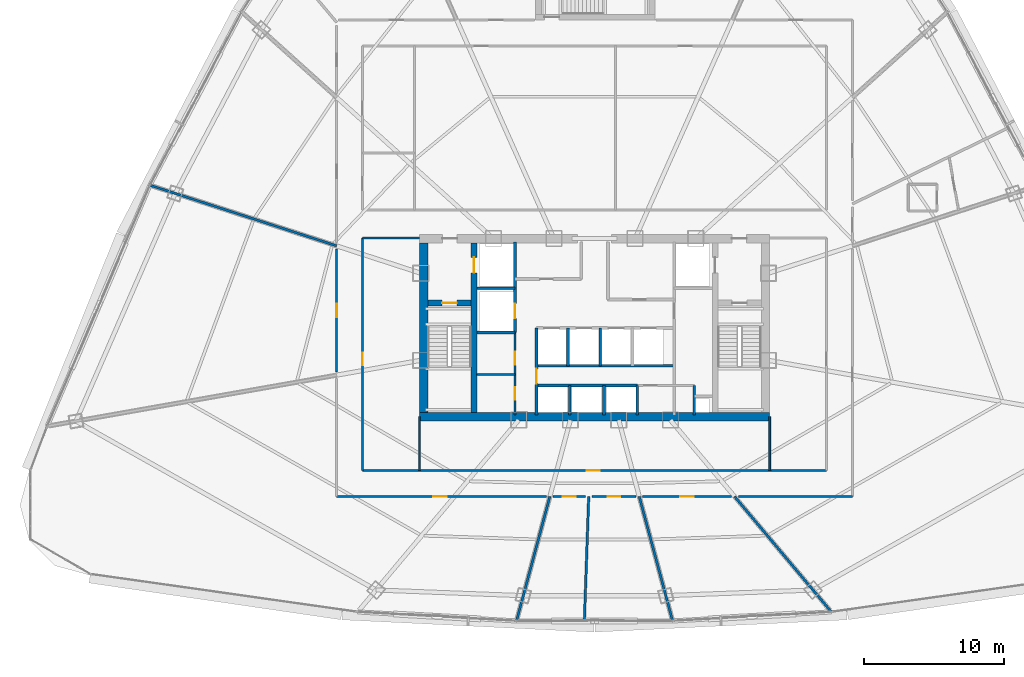
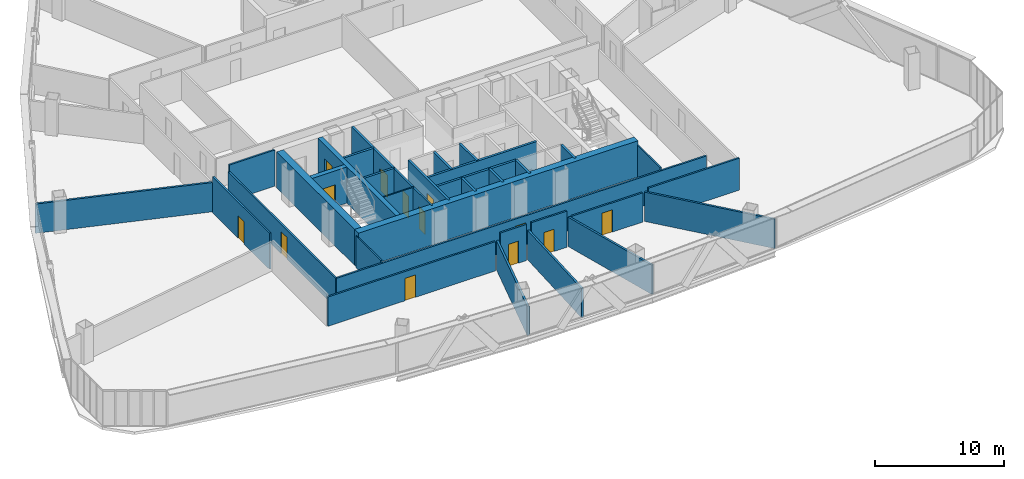
# One storey, part 35 of 42: 34 walls, 13 doors, 13 openings.
"""IFC4 building model written with IfcOpenShell, lengths in metres."""

from ifc_helpers import new_model, si_unit, direction, frame, frame_2d, origin, origin_with_axes, place, context, subcontext, project, spatial, rectangle, extrude, source, transform, mapped, material, layer, layer_set, type_object, element, fill, save


model = new_model("IFC4")

# Units and contexts
model_context = context("Model", 3, precision=1e-05, world=origin(), true_north=direction((0.0, 1.0)))
body_context = subcontext(model_context, "Body", "Model", "MODEL_VIEW")
ifc_project = project(units=[si_unit("LENGTHUNIT", "METRE"), si_unit("AREAUNIT", "SQUARE_METRE"), si_unit("VOLUMEUNIT", "CUBIC_METRE"), si_unit("PLANEANGLEUNIT", "RADIAN"), si_unit("MASSUNIT", "GRAM", prefix="KILO"), si_unit("THERMODYNAMICTEMPERATUREUNIT", "KELVIN"), si_unit("POWERUNIT", "WATT")], contexts=[model_context])

# Site, building, storey
site_placement = place(None, origin())
site = spatial("IfcSite", under=ifc_project, at=site_placement, CompositionType="ELEMENT")
building_placement = place(site_placement, origin())
building = spatial("IfcBuilding", under=site, at=building_placement, Name="Yunzhuo Pagoda Commons", CompositionType="ELEMENT")
storey_placement = place(building_placement, frame((0.0, 0.0, 133.510009765625)))
storey = spatial("IfcBuildingStorey", under=building, at=storey_placement, Name="L33", CompositionType="ELEMENT", Elevation=133.510009765625)

# Walls
ifc_material_1 = material(Name="Concrete C60", Category="concrete")
ifc_layer_1 = layer(ifc_material_1, 0.60009765625)
ifc_layer_set_1 = layer_set([ifc_layer_1], Name="Concrete C60")
wall_type_1 = type_object("IfcWallType", Name="W-C02 Mid Core Shear Wall 600", PredefinedType="SHEAR", material=ifc_layer_set_1)
wall_1_placement = place(storey_placement, frame((35.5, 27.5, 0.0), z_axis=(0.0, 0.0, 1.0), x_axis=(1.0, 0.0, 0.0)))
element("IfcWall", 1, at=wall_1_placement, inside=storey, type_object=wall_type_1, Name="L33 core shear wall S", PredefinedType="SHEAR", context=body_context, shape_type="SweptSolid", body=[
    extrude(rectangle(XDim=25.0, YDim=0.60009765625, at=frame_2d((12.5, 0.0))), origin(), (0.0, 0.0, 1.0), 3.419921875),
])
wall_2_placement = place(storey_placement, frame((35.800048828125, 27.800048828125, 0.0), z_axis=(0.0, 0.0, 1.0), x_axis=(0.0, 1.0, 0.0)))
element("IfcWall", 2, at=wall_2_placement, inside=storey, type_object=wall_type_1, Name="L33 core shear wall W", PredefinedType="SHEAR", context=body_context, shape_type="SweptSolid", body=[
    extrude(rectangle(XDim=12.099853515625, YDim=0.60009765625, at=frame_2d((6.0498046875, 0.0))), origin(), (0.0, 0.0, 1.0), 3.419921875),
])

# Wall, openings, doors
ifc_material_2 = material(Name="Gypsum plasterboard on acoustic stud")
ifc_layer_2 = layer(ifc_material_2, 0.155029296875)
ifc_layer_set_2 = layer_set([ifc_layer_2], Name="Gypsum plasterboard on acoustic stud")
wall_type_2 = type_object("IfcWallType", Name="W-COR2 Mid-Zone Rated Corridor Wall 155", PredefinedType="PARTITIONING", material=ifc_layer_set_2)
wall_3_placement = place(storey_placement, frame((42.320068359375, 27.60009765625, 0.0), z_axis=(0.0, 0.0, 1.0), x_axis=(0.0, 1.0, 0.0)))
wall_3 = element("IfcWall", 3, at=wall_3_placement, inside=storey, type_object=wall_type_2, Name="L33 interior wall IW-L33-CSWE", PredefinedType="PARTITIONING", context=body_context, shape_type="SweptSolid", body=[
    extrude(rectangle(XDim=5.89990234375, YDim=0.155029296875, at=frame_2d((2.949951171875, 0.0))), origin(), (0.0, 0.0, 1.0), 3.419921875),
])
opening_1_placement = place(wall_3_placement, frame((1.10009765625, 0.0, 0.0)))
opening_1 = element("IfcOpeningElement", 4, at=opening_1_placement, cuts=wall_3, Name="Opening D-03", PredefinedType="OPENING", context=body_context, shape_type="SweptSolid", body=[
    extrude(rectangle(XDim=0.89990234375, YDim=2.10009765625, at=frame_2d((0.449951171875, 1.050048828125))), frame((0.0, 0.08740234375, 0.0), z_axis=(0.0, -1.0, 0.0), x_axis=(1.0, 0.0, 0.0)), (0.0, 0.0, 1.0), 0.175048828125),
])
opening_2_placement = place(wall_3_placement, frame((3.60009765625, 0.0, 0.0)))
opening_2 = element("IfcOpeningElement", 5, at=opening_2_placement, cuts=wall_3, Name="Opening D-11", PredefinedType="OPENING", context=body_context, shape_type="SweptSolid", body=[
    extrude(rectangle(XDim=0.93994140625, YDim=2.10009765625, at=frame_2d((0.469970703125, 1.050048828125))), frame((0.0, 0.08740234375, 0.0), z_axis=(0.0, -1.0, 0.0), x_axis=(1.0, 0.0, 0.0)), (0.0, 0.0, 1.0), 0.175048828125),
])
ifc_material_3 = material(Name="Galvanized fire-resisting metal leaf")
door_type_1 = type_object("IfcDoorType", Name="D-03 Core Service Fire Door 900x2100", OperationType="NOTDEFINED", PredefinedType="DOOR", material=ifc_material_3)
shared_shape_1 = source(origin(), body_context, "Body", "SweptSolid", [
    extrude(rectangle(XDim=0.89990234375, YDim=2.10009765625, at=frame_2d((0.449951171875, 1.050048828125))), frame((0.0, 0.02490234375, 0.0), z_axis=(0.0, -1.0, 0.0), x_axis=(1.0, 0.0, 0.0)), (0.0, 0.0, 1.0), 0.050048828125),
])
door_1_placement = place(opening_1_placement, origin_with_axes())
door_1 = element("IfcDoor", 6, at=door_1_placement, inside=storey, type_object=door_type_1, Name="L33 housekeeping door", OperationType="SINGLE_SWING_RIGHT", OverallHeight=2.10009765625, OverallWidth=0.89990234375, PredefinedType="DOOR", context=body_context, shape_type="MappedRepresentation", body=[
    mapped(shared_shape_1, transform((0.0, 0.0, 0.0), scale=1.0)),
])
fill(opening_1, door_1)
door_type_2 = type_object("IfcDoorType", Name="D-11 Accessible Washroom Fire Door 940x2100", OperationType="NOTDEFINED", PredefinedType="DOOR", material=ifc_material_3)
shared_shape_2 = source(origin(), body_context, "Body", "SweptSolid", [
    extrude(rectangle(XDim=0.93994140625, YDim=2.10009765625, at=frame_2d((0.469970703125, 1.050048828125))), frame((0.0, 0.02490234375, 0.0), z_axis=(0.0, -1.0, 0.0), x_axis=(1.0, 0.0, 0.0)), (0.0, 0.0, 1.0), 0.050048828125),
])
door_2_placement = place(opening_2_placement, origin_with_axes())
door_2 = element("IfcDoor", 7, at=door_2_placement, inside=storey, type_object=door_type_2, Name="L33 core WC door", OperationType="SINGLE_SWING_RIGHT", OverallHeight=2.10009765625, OverallWidth=0.93994140625, PredefinedType="DOOR", context=body_context, shape_type="MappedRepresentation", body=[
    mapped(shared_shape_2, transform((0.0, 0.0, 0.0), scale=1.0)),
])
fill(opening_2, door_2)

# Wall, opening, door
wall_4_placement = place(storey_placement, frame((31.449951171875, 23.64990234375, 0.0), z_axis=(0.0, 0.0, 1.0), x_axis=(0.0, 1.0, 0.0)))
wall_4 = element("IfcWall", 8, at=wall_4_placement, inside=storey, type_object=wall_type_2, Name="L33 interior wall IW-L33-SFLW", PredefinedType="PARTITIONING", context=body_context, shape_type="SweptSolid", body=[
    extrude(rectangle(XDim=16.60009765625, YDim=0.155029296875, at=frame_2d((8.300048828125, 0.0))), origin(), (0.0, 0.0, 1.0), 2.77001953125),
])
opening_3_placement = place(wall_4_placement, frame((7.5, 0.0, 0.0)))
opening_3 = element("IfcOpeningElement", 9, at=opening_3_placement, cuts=wall_4, Name="Opening D-12", PredefinedType="OPENING", context=body_context, shape_type="SweptSolid", body=[
    extrude(rectangle(XDim=0.89990234375, YDim=2.080078125, at=frame_2d((0.449951171875, 1.0400390625))), frame((0.0, 0.08740234375, 0.0), z_axis=(0.0, -1.0, 0.0), x_axis=(1.0, 0.0, 0.0)), (0.0, 0.0, 1.0), 0.175048828125),
])
ifc_material_4 = material(Name="Powder-coated aluminium and timber acoustic leaf", Category="wood")
door_type_3 = type_object("IfcDoorType", Name="D-12 Quiet Study Interior Door 900x2080", OperationType="NOTDEFINED", PredefinedType="DOOR", material=ifc_material_4)
shared_shape_3 = source(origin(), body_context, "Body", "SweptSolid", [
    extrude(rectangle(XDim=0.89990234375, YDim=2.080078125, at=frame_2d((0.449951171875, 1.0400390625))), frame((0.0, 0.02490234375, 0.0), z_axis=(0.0, -1.0, 0.0), x_axis=(1.0, 0.0, 0.0)), (0.0, 0.0, 1.0), 0.050048828125),
])
door_3_placement = place(opening_3_placement, origin_with_axes())
door_3 = element("IfcDoor", 10, at=door_3_placement, inside=storey, type_object=door_type_3, Name="L33 west study workroom door", OperationType="SINGLE_SWING_LEFT", OverallHeight=2.080078125, OverallWidth=0.89990234375, PredefinedType="DOOR", context=body_context, shape_type="MappedRepresentation", body=[
    mapped(shared_shape_3, transform((0.0, 0.0, 0.0), scale=1.0)),
])
fill(opening_3, door_3)

wall_5_placement = place(storey_placement, frame((31.449951171875, 23.64990234375, 0.0), z_axis=(0.0, 0.0, 1.0), x_axis=(1.0, 0.0, 0.0)))
wall_5 = element("IfcWall", 11, at=wall_5_placement, inside=storey, type_object=wall_type_2, Name="L33 interior wall IW-L33-SFLS", PredefinedType="PARTITIONING", context=body_context, shape_type="SweptSolid", body=[
    extrude(rectangle(XDim=33.10009765625, YDim=0.155029296875, at=frame_2d((16.550048828125, 0.0))), origin(), (0.0, 0.0, 1.0), 2.77001953125),
])
opening_4_placement = place(wall_5_placement, frame((16.0, 0.0, 0.0)))
opening_4 = element("IfcOpeningElement", 12, at=opening_4_placement, cuts=wall_5, Name="Opening D-04", PredefinedType="OPENING", context=body_context, shape_type="SweptSolid", body=[
    extrude(rectangle(XDim=0.919921875, YDim=2.10009765625, at=frame_2d((0.4599609375, 1.050048828125))), frame((0.0, 0.08740234375, 0.0), z_axis=(0.0, -1.0, 0.0), x_axis=(1.0, 0.0, 0.0)), (0.0, 0.0, 1.0), 0.175048828125),
])
door_type_4 = type_object("IfcDoorType", Name="D-04 Bedroom & Study Interior Door 920x2100", OperationType="NOTDEFINED", PredefinedType="DOOR", material=ifc_material_4)
shared_shape_4 = source(origin(), body_context, "Body", "SweptSolid", [
    extrude(rectangle(XDim=0.919921875, YDim=2.10009765625, at=frame_2d((0.4599609375, 1.050048828125))), frame((0.0, 0.02490234375, 0.0), z_axis=(0.0, -1.0, 0.0), x_axis=(1.0, 0.0, 0.0)), (0.0, 0.0, 1.0), 0.050048828125),
])
door_4_placement = place(opening_4_placement, frame((0.919921875, 0.0, 0.0), z_axis=(0.0, 0.0, 1.0), x_axis=(-1.0, 0.0, 0.0)))
door_4 = element("IfcDoor", 13, at=door_4_placement, inside=storey, type_object=door_type_4, Name="L33 south seminar room door", OperationType="SINGLE_SWING_RIGHT", OverallHeight=2.10009765625, OverallWidth=0.919921875, PredefinedType="DOOR", context=body_context, shape_type="MappedRepresentation", body=[
    mapped(shared_shape_4, transform((0.0, 0.0, 0.0), scale=1.0)),
])
fill(opening_4, door_4)

# Wall
wall_6_placement = place(storey_placement, frame((31.449951171875, 40.25, 0.0), z_axis=(0.0, 0.0, 1.0), x_axis=(1.0, 0.0, 0.0)))
element("IfcWall", 14, at=wall_6_placement, inside=storey, type_object=wall_type_2, Name="L33 interior wall IW-L33-SFLNW", PredefinedType="PARTITIONING", context=body_context, shape_type="SweptSolid", body=[
    extrude(rectangle(XDim=4.050048828125, YDim=0.155029296875, at=frame_2d((2.02490234375, 0.0))), origin(), (0.0, 0.0, 1.0), 3.419921875),
])

# Wall, opening, door
wall_7_placement = place(storey_placement, frame((29.60009765625, 30.67529296875, 0.0), z_axis=(0.0, 0.0, 1.0), x_axis=(0.0, 1.0, 0.0)))
wall_7 = element("IfcWall", 15, at=wall_7_placement, inside=storey, type_object=wall_type_2, Name="L33 interior wall IW-L33-CWL02", PredefinedType="PARTITIONING", context=body_context, shape_type="SweptSolid", body=[
    extrude(rectangle(XDim=8.783447265625, YDim=0.155029296875, at=frame_2d((4.3916015625, 0.0))), origin(), (0.0, 0.0, 1.0), 3.419921875),
])
opening_5_placement = place(wall_7_placement, frame((3.916748046875, 0.0, 0.0)))
opening_5 = element("IfcOpeningElement", 16, at=opening_5_placement, cuts=wall_7, Name="Opening D-07", PredefinedType="OPENING", context=body_context, shape_type="SweptSolid", body=[
    extrude(rectangle(XDim=0.9599609375, YDim=2.1201171875, at=frame_2d((0.47998046875, 1.06005859375))), frame((0.0, 0.08740234375, 0.0), z_axis=(0.0, -1.0, 0.0), x_axis=(1.0, 0.0, 0.0)), (0.0, 0.0, 1.0), 0.175048828125),
])
door_type_5 = type_object("IfcDoorType", Name="D-07 Mid-Zone Suite Entrance Fire Door 960x2120", OperationType="NOTDEFINED", PredefinedType="DOOR", material=ifc_material_3)
shared_shape_5 = source(origin(), body_context, "Body", "SweptSolid", [
    extrude(rectangle(XDim=0.9599609375, YDim=2.1201171875, at=frame_2d((0.47998046875, 1.06005859375))), frame((0.0, 0.02490234375, 0.0), z_axis=(0.0, -1.0, 0.0), x_axis=(1.0, 0.0, 0.0)), (0.0, 0.0, 1.0), 0.050048828125),
])
door_5_placement = place(opening_5_placement, origin_with_axes())
door_5 = element("IfcDoor", 17, at=door_5_placement, inside=storey, type_object=door_type_5, Name="L33 unit 08 entrance door", OperationType="SINGLE_SWING_RIGHT", OverallHeight=2.1201171875, OverallWidth=0.9599609375, PredefinedType="DOOR", context=body_context, shape_type="MappedRepresentation", body=[
    mapped(shared_shape_5, transform((0.0, 0.0, 0.0), scale=1.0)),
])
fill(opening_5, door_5)

# Wall
wall_8_placement = place(storey_placement, frame((66.39990234375, 21.800048828125, 0.0), z_axis=(0.0, 0.0, 1.0), x_axis=(-1.0, 0.0, 0.0)))
element("IfcWall", 18, at=wall_8_placement, inside=storey, type_object=wall_type_2, Name="L33 interior wall IW-L33-CWL13", PredefinedType="PARTITIONING", context=body_context, shape_type="SweptSolid", body=[
    extrude(rectangle(XDim=8.12744140625, YDim=0.155029296875, at=frame_2d((4.063720703125, 0.0))), origin(), (0.0, 0.0, 1.0), 3.02001953125),
])

# Wall, opening, door
wall_9_placement = place(storey_placement, frame((57.765380859375, 21.800048828125, 0.0), z_axis=(0.0, 0.0, 1.0), x_axis=(-1.0, 0.0, 0.0)))
wall_9 = element("IfcWall", 19, at=wall_9_placement, inside=storey, type_object=wall_type_2, Name="L33 interior wall IW-L33-CWL14", PredefinedType="PARTITIONING", context=body_context, shape_type="SweptSolid", body=[
    extrude(rectangle(XDim=6.348876953125, YDim=0.155029296875, at=frame_2d((3.17431640625, 0.0))), origin(), (0.0, 0.0, 1.0), 2.77001953125),
])
opening_6_placement = place(wall_9_placement, frame((2.703369140625, 0.0, 0.0)))
opening_6 = element("IfcOpeningElement", 20, at=opening_6_placement, cuts=wall_9, Name="Opening D-07", PredefinedType="OPENING", context=body_context, shape_type="SweptSolid", body=[
    extrude(rectangle(XDim=0.9599609375, YDim=2.1201171875, at=frame_2d((0.47998046875, 1.06005859375))), frame((0.0, 0.08740234375, 0.0), z_axis=(0.0, -1.0, 0.0), x_axis=(1.0, 0.0, 0.0)), (0.0, 0.0, 1.0), 0.175048828125),
])
door_6_placement = place(opening_6_placement, origin_with_axes())
door_6 = element("IfcDoor", 21, at=door_6_placement, inside=storey, type_object=door_type_5, Name="L33 unit 12 entrance door", OperationType="SINGLE_SWING_RIGHT", OverallHeight=2.1201171875, OverallWidth=0.9599609375, PredefinedType="DOOR", context=body_context, shape_type="MappedRepresentation", body=[
    mapped(shared_shape_5, transform((0.0, 0.0, 0.0), scale=1.0)),
])
fill(opening_6, door_6)

wall_10_placement = place(storey_placement, frame((50.96875, 21.800048828125, 0.0), z_axis=(0.0, 0.0, 1.0), x_axis=(-1.0, 0.0, 0.0)))
wall_10 = element("IfcWall", 22, at=wall_10_placement, inside=storey, type_object=wall_type_2, Name="L33 interior wall IW-L33-CWL15", PredefinedType="PARTITIONING", context=body_context, shape_type="SweptSolid", body=[
    extrude(rectangle(XDim=3.16455078125, YDim=0.155029296875, at=frame_2d((1.582275390625, 0.0))), origin(), (0.0, 0.0, 1.0), 3.419921875),
])
opening_7_placement = place(wall_10_placement, frame((1.122314453125, 0.0, 0.0)))
opening_7 = element("IfcOpeningElement", 23, at=opening_7_placement, cuts=wall_10, Name="Opening D-04", PredefinedType="OPENING", context=body_context, shape_type="SweptSolid", body=[
    extrude(rectangle(XDim=0.919921875, YDim=2.10009765625, at=frame_2d((0.4599609375, 1.050048828125))), frame((0.0, 0.08740234375, 0.0), z_axis=(0.0, -1.0, 0.0), x_axis=(1.0, 0.0, 0.0)), (0.0, 0.0, 1.0), 0.175048828125),
])
door_7_placement = place(opening_7_placement, origin_with_axes())
door_7 = element("IfcDoor", 24, at=door_7_placement, inside=storey, type_object=door_type_4, Name="L33 fellow workroom 11 door", OperationType="SINGLE_SWING_LEFT", OverallHeight=2.10009765625, OverallWidth=0.919921875, PredefinedType="DOOR", context=body_context, shape_type="MappedRepresentation", body=[
    mapped(shared_shape_4, transform((0.0, 0.0, 0.0), scale=1.0)),
])
fill(opening_7, door_7)

wall_11_placement = place(storey_placement, frame((47.3642578125, 21.800048828125, 0.0), z_axis=(0.0, 0.0, 1.0), x_axis=(-1.0, 0.0, 0.0)))
wall_11 = element("IfcWall", 25, at=wall_11_placement, inside=storey, type_object=wall_type_2, Name="L33 interior wall IW-L33-CWL16", PredefinedType="PARTITIONING", context=body_context, shape_type="SweptSolid", body=[
    extrude(rectangle(XDim=2.3330078125, YDim=0.155029296875, at=frame_2d((1.16650390625, 0.0))), origin(), (0.0, 0.0, 1.0), 3.419921875),
])
opening_8_placement = place(wall_11_placement, frame((0.706298828125, 0.0, 0.0)))
opening_8 = element("IfcOpeningElement", 26, at=opening_8_placement, cuts=wall_11, Name="Opening D-04", PredefinedType="OPENING", context=body_context, shape_type="SweptSolid", body=[
    extrude(rectangle(XDim=0.919921875, YDim=2.10009765625, at=frame_2d((0.4599609375, 1.050048828125))), frame((0.0, 0.08740234375, 0.0), z_axis=(0.0, -1.0, 0.0), x_axis=(1.0, 0.0, 0.0)), (0.0, 0.0, 1.0), 0.175048828125),
])
door_8_placement = place(opening_8_placement, origin_with_axes())
door_8 = element("IfcDoor", 27, at=door_8_placement, inside=storey, type_object=door_type_4, Name="L33 fellow workroom 10 door", OperationType="SINGLE_SWING_RIGHT", OverallHeight=2.10009765625, OverallWidth=0.919921875, PredefinedType="DOOR", context=body_context, shape_type="MappedRepresentation", body=[
    mapped(shared_shape_4, transform((0.0, 0.0, 0.0), scale=1.0)),
])
fill(opening_8, door_8)

wall_12_placement = place(storey_placement, frame((44.58349609375, 21.800048828125, 0.0), z_axis=(0.0, 0.0, 1.0), x_axis=(-1.0, 0.0, 0.0)))
wall_12 = element("IfcWall", 28, at=wall_12_placement, inside=storey, type_object=wall_type_2, Name="L33 interior wall IW-L33-CWL17", PredefinedType="PARTITIONING", context=body_context, shape_type="SweptSolid", body=[
    extrude(rectangle(XDim=14.9833984375, YDim=0.155029296875, at=frame_2d((7.49169921875, 0.0))), origin(), (0.0, 0.0, 1.0), 2.77001953125),
])
opening_9_placement = place(wall_12_placement, frame((7.1328125, 0.0, 0.0)))
opening_9 = element("IfcOpeningElement", 29, at=opening_9_placement, cuts=wall_12, Name="Opening D-07", PredefinedType="OPENING", context=body_context, shape_type="SweptSolid", body=[
    extrude(rectangle(XDim=0.9599609375, YDim=2.1201171875, at=frame_2d((0.47998046875, 1.06005859375))), frame((0.0, 0.08740234375, 0.0), z_axis=(0.0, -1.0, 0.0), x_axis=(1.0, 0.0, 0.0)), (0.0, 0.0, 1.0), 0.175048828125),
])
door_9_placement = place(opening_9_placement, origin_with_axes())
door_9 = element("IfcDoor", 30, at=door_9_placement, inside=storey, type_object=door_type_5, Name="L33 Shared Resident Kitchen and Pantry door", OperationType="SINGLE_SWING_LEFT", OverallHeight=2.1201171875, OverallWidth=0.9599609375, PredefinedType="DOOR", context=body_context, shape_type="MappedRepresentation", body=[
    mapped(shared_shape_5, transform((0.0, 0.0, 0.0), scale=1.0)),
])
fill(opening_9, door_9)

# Walls
ifc_layer_3 = layer(ifc_material_2, 0.1201171875)
ifc_layer_set_3 = layer_set([ifc_layer_3], Name="Gypsum plasterboard on acoustic stud")
wall_type_3 = type_object("IfcWallType", Name="W-PRT1 Suite & Bathroom Partition 120", PredefinedType="PARTITIONING", material=ifc_layer_set_3)
wall_13_placement = place(storey_placement, frame((39.60009765625, 30.5, 0.0), z_axis=(0.0, 0.0, 1.0), x_axis=(1.0, 0.0, 0.0)))
element("IfcWall", 31, at=wall_13_placement, inside=storey, type_object=wall_type_3, Name="L33 interior wall IW-L33-CB1", PredefinedType="PARTITIONING", context=body_context, shape_type="SweptSolid", body=[
    extrude(rectangle(XDim=2.719970703125, YDim=0.1201171875, at=frame_2d((1.35986328125, 0.0))), origin(), (0.0, 0.0, 1.0), 3.419921875),
])
for number, where, z_axis, x_axis, name in (
    (32, (35.5, 23.64990234375, 0.0), (0.0, 0.0, 1.0), (0.0, 1.0, 0.0), "L33 interior wall IW-L33-SFLD1"),
    (33, (60.5, 23.64990234375, 0.0), (0.0, 0.0, 1.0), (0.0, 1.0, 0.0), "L33 interior wall IW-L33-SFLD2"),
):
    element("IfcWall", number, at=place(storey_placement, frame(where, z_axis=z_axis, x_axis=x_axis)), inside=storey, type_object=wall_type_3, Name=name, PredefinedType="PARTITIONING", context=body_context, shape_type="SweptSolid", body=[
        extrude(rectangle(XDim=3.85009765625, YDim=0.1201171875, at=frame_2d((1.925048828125, 0.0))), origin(), (0.0, 0.0, 1.0), 3.02001953125),
    ])
ifc_layer_4 = layer(ifc_material_2, 0.175048828125)
ifc_layer_set_4 = layer_set([ifc_layer_4], Name="Gypsum plasterboard on acoustic stud")
wall_type_4 = type_object("IfcWallType", Name="W-PRT3 Mid-Zone Demising Wall 175", PredefinedType="PARTITIONING", material=ifc_layer_set_4)
wall_14_placement = place(storey_placement, frame((29.60009765625, 39.678466796875, 0.0), z_axis=(0.0, 0.0, 1.0), x_axis=(-0.95105622709, 0.309017884457, 0.0)))
element("IfcWall", 34, at=wall_14_placement, inside=storey, type_object=wall_type_4, Name="L33 interior wall IW-L33-RAD08", PredefinedType="PARTITIONING", context=body_context, shape_type="SweptSolid", body=[
    extrude(rectangle(XDim=14.006103515625, YDim=0.175048828125, at=frame_2d((7.0029296875, 0.0))), origin(), (0.0, 0.0, 1.0), 2.77001953125),
])
wall_15_placement = place(storey_placement, frame((44.811279296875, 21.800048828125, 0.0), z_axis=(0.0, 0.0, 1.0), x_axis=(-0.258799340884, -0.965931105803, 0.0)))
element("IfcWall", 35, at=wall_15_placement, inside=storey, type_object=wall_type_4, Name="L33 interior wall IW-L33-RAD10", PredefinedType="PARTITIONING", context=body_context, shape_type="SweptSolid", body=[
    extrude(rectangle(XDim=9.19580078125, YDim=0.175048828125, at=frame_2d((4.597900390625, 0.0))), origin(), (0.0, 0.0, 1.0), 2.77001953125),
])
wall_16_placement = place(storey_placement, frame((47.58447265625, 21.800048828125, 0.0), z_axis=(0.0, 0.0, 1.0), x_axis=(-0.034885165757, -0.999391327364, 0.0)))
element("IfcWall", 36, at=wall_16_placement, inside=storey, type_object=wall_type_4, Name="L33 interior wall IW-L33-RAD11", PredefinedType="PARTITIONING", context=body_context, shape_type="SweptSolid", body=[
    extrude(rectangle(XDim=8.887939453125, YDim=0.175048828125, at=frame_2d((4.44384765625, 0.0))), origin(), (0.0, 0.0, 1.0), 2.77001953125),
])
wall_17_placement = place(storey_placement, frame((51.188720703125, 21.800048828125, 0.0), z_axis=(0.0, 0.0, 1.0), x_axis=(0.258799340884, -0.965931105803, 0.0)))
element("IfcWall", 37, at=wall_17_placement, inside=storey, type_object=wall_type_4, Name="L33 interior wall IW-L33-RAD12", PredefinedType="PARTITIONING", context=body_context, shape_type="SweptSolid", body=[
    extrude(rectangle(XDim=9.19580078125, YDim=0.175048828125, at=frame_2d((4.597900390625, 0.0))), origin(), (0.0, 0.0, 1.0), 2.77001953125),
])
wall_18_placement = place(storey_placement, frame((57.9853515625, 21.800048828125, 0.0), z_axis=(0.0, 0.0, 1.0), x_axis=(0.642770875896, -0.766058484125, 0.0)))
element("IfcWall", 38, at=wall_18_placement, inside=storey, type_object=wall_type_4, Name="L33 interior wall IW-L33-RAD13", PredefinedType="PARTITIONING", context=body_context, shape_type="SweptSolid", body=[
    extrude(rectangle(XDim=10.754638671875, YDim=0.175048828125, at=frame_2d((5.37744140625, 0.0))), origin(), (0.0, 0.0, 1.0), 2.77001953125),
])

# Wall, opening, door
ifc_layer_5 = layer(ifc_material_1, 0.39990234375)
ifc_layer_set_5 = layer_set([ifc_layer_5], Name="Concrete C60")
wall_type_5 = type_object("IfcWallType", Name="W-S01 Internal Core Shear Web 400", PredefinedType="SHEAR", material=ifc_layer_set_5)
wall_19_placement = place(storey_placement, frame((39.39990234375, 27.800048828125, 0.0), z_axis=(0.0, 0.0, 1.0), x_axis=(0.0, 1.0, 0.0)))
wall_19 = element("IfcWall", 39, at=wall_19_placement, inside=storey, type_object=wall_type_5, Name="L33 core shear wall WEBW", PredefinedType="SHEAR", context=body_context, shape_type="SweptSolid", body=[
    extrude(rectangle(XDim=12.099853515625, YDim=0.39990234375, at=frame_2d((6.0498046875, 0.0))), origin(), (0.0, 0.0, 1.0), 3.419921875),
])
opening_10_placement = place(wall_19_placement, frame((9.949951171875, 0.0, 0.0)))
opening_10 = element("IfcOpeningElement", 40, at=opening_10_placement, cuts=wall_19, Name="Opening LD-01", PredefinedType="OPENING", context=body_context, shape_type="SweptSolid", body=[
    extrude(rectangle(XDim=1.10009765625, YDim=2.10009765625, at=frame_2d((0.550048828125, 1.050048828125))), frame((0.0, 0.2099609375, 0.0), z_axis=(0.0, -1.0, 0.0), x_axis=(1.0, 0.0, 0.0)), (0.0, 0.0, 1.0), 0.419921875),
])
door_type_6 = type_object("IfcDoorType", Name="LD-01 Firefighting Lift Landing Door 1100x2100", OperationType="DOUBLE_DOOR_SLIDING", PredefinedType="DOOR", material=ifc_material_3)
shared_shape_6 = source(origin(), body_context, "Body", "SweptSolid", [
    extrude(rectangle(XDim=1.10009765625, YDim=2.10009765625, at=frame_2d((0.550048828125, 1.050048828125))), frame((0.0, 0.02490234375, 0.0), z_axis=(0.0, -1.0, 0.0), x_axis=(1.0, 0.0, 0.0)), (0.0, 0.0, 1.0), 0.050048828125),
])
door_10_placement = place(opening_10_placement, frame((1.10009765625, 0.0, 0.0), z_axis=(0.0, 0.0, 1.0), x_axis=(-1.0, 0.0, 0.0)))
door_10 = element("IfcDoor", 41, at=door_10_placement, inside=storey, type_object=door_type_6, Name="L33 Firefighting lift FL-1 landing door", OperationType="DOUBLE_DOOR_SLIDING", OverallHeight=2.10009765625, OverallWidth=1.10009765625, PredefinedType="DOOR", context=body_context, shape_type="MappedRepresentation", body=[
    mapped(shared_shape_6, transform((0.0, 0.0, 0.0), scale=1.0)),
])
fill(opening_10, door_10)

wall_20_placement = place(storey_placement, frame((36.10009765625, 35.60009765625, 0.0), z_axis=(0.0, 0.0, 1.0), x_axis=(1.0, 0.0, 0.0)))
wall_20 = element("IfcWall", 42, at=wall_20_placement, inside=storey, type_object=wall_type_5, Name="L33 core shear wall STW", PredefinedType="SHEAR", context=body_context, shape_type="SweptSolid", body=[
    extrude(rectangle(XDim=3.099853515625, YDim=0.39990234375, at=frame_2d((1.5498046875, 0.0))), origin(), (0.0, 0.0, 1.0), 3.419921875),
])
opening_11_placement = place(wall_20_placement, frame((1.02001953125, 0.0, 0.0)))
opening_11 = element("IfcOpeningElement", 43, at=opening_11_placement, cuts=wall_20, Name="Opening D-01", PredefinedType="OPENING", context=body_context, shape_type="SweptSolid", body=[
    extrude(rectangle(XDim=1.050048828125, YDim=2.10009765625, at=frame_2d((0.52490234375, 1.050048828125))), frame((0.0, 0.2099609375, 0.0), z_axis=(0.0, -1.0, 0.0), x_axis=(1.0, 0.0, 0.0)), (0.0, 0.0, 1.0), 0.419921875),
])
door_type_7 = type_object("IfcDoorType", Name="D-01 Smokeproof Stair Fire Door 1050x2100", OperationType="NOTDEFINED", PredefinedType="DOOR", material=ifc_material_3)
shared_shape_7 = source(origin(), body_context, "Body", "SweptSolid", [
    extrude(rectangle(XDim=1.050048828125, YDim=2.10009765625, at=frame_2d((0.52490234375, 1.050048828125))), frame((0.0, 0.02490234375, 0.0), z_axis=(0.0, -1.0, 0.0), x_axis=(1.0, 0.0, 0.0)), (0.0, 0.0, 1.0), 0.050048828125),
])
door_11_placement = place(opening_11_placement, frame((1.050048828125, 0.0, 0.0), z_axis=(0.0, 0.0, 1.0), x_axis=(-1.0, 0.0, 0.0)))
door_11 = element("IfcDoor", 44, at=door_11_placement, inside=storey, type_object=door_type_7, Name="L33 Stair ST1 fire door", OperationType="SINGLE_SWING_LEFT", OverallHeight=2.10009765625, OverallWidth=1.050048828125, PredefinedType="DOOR", context=body_context, shape_type="MappedRepresentation", body=[
    mapped(shared_shape_7, transform((0.0, 0.0, 0.0), scale=1.0)),
])
fill(opening_11, door_11)

ifc_material_5 = material(Name="Concrete C40", Category="concrete")
ifc_layer_6 = layer(ifc_material_5, 0.199951171875)
ifc_layer_set_6 = layer_set([ifc_layer_6], Name="Concrete C40")
wall_type_6 = type_object("IfcWallType", Name="W-SHF Shaft & Stair Enclosure Wall 200", PredefinedType="SOLIDWALL", material=ifc_layer_set_6)
wall_21_placement = place(storey_placement, frame((42.320068359375, 33.5, 0.0), z_axis=(0.0, 0.0, 1.0), x_axis=(0.0, 1.0, 0.0)))
wall_21 = element("IfcWall", 45, at=wall_21_placement, inside=storey, type_object=wall_type_6, Name="L33 interior wall IW-L33-FL1E", PredefinedType="SOLIDWALL", context=body_context, shape_type="SweptSolid", body=[
    extrude(rectangle(XDim=6.449951171875, YDim=0.199951171875, at=frame_2d((3.22509765625, 0.0))), origin(), (0.0, 0.0, 1.0), 3.419921875),
])
opening_12_placement = place(wall_21_placement, frame((1.0, 0.0, 0.0)))
opening_12 = element("IfcOpeningElement", 46, at=opening_12_placement, cuts=wall_21, Name="Opening LD-02", PredefinedType="OPENING", context=body_context, shape_type="SweptSolid", body=[
    extrude(rectangle(XDim=1.050048828125, YDim=2.10009765625, at=frame_2d((0.52490234375, 1.050048828125))), frame((0.0, 0.10986328125, 0.0), z_axis=(0.0, -1.0, 0.0), x_axis=(1.0, 0.0, 0.0)), (0.0, 0.0, 1.0), 0.219970703125),
])
door_type_8 = type_object("IfcDoorType", Name="LD-02 Passenger Lift Landing Door 1050x2100", OperationType="DOUBLE_DOOR_SLIDING", PredefinedType="DOOR", material=ifc_material_3)
door_12_placement = place(opening_12_placement, origin_with_axes())
door_12 = element("IfcDoor", 47, at=door_12_placement, inside=storey, type_object=door_type_8, Name="L33 Service lift SL-1 landing door", OperationType="DOUBLE_DOOR_SLIDING", OverallHeight=2.10009765625, OverallWidth=1.050048828125, PredefinedType="DOOR", context=body_context, shape_type="MappedRepresentation", body=[
    mapped(shared_shape_7, transform((0.0, 0.0, 0.0), scale=1.0)),
])
fill(opening_12, door_12)

# Walls
for number, where, z_axis, x_axis, name in (
    (48, (39.60009765625, 36.64990234375, 0.0), (0.0, 0.0, 1.0), (1.0, 0.0, 0.0), "L33 interior wall IW-L33-FL1S"),
    (49, (39.60009765625, 33.5, 0.0), (0.0, 0.0, 1.0), (1.0, 0.0, 0.0), "L33 interior wall IW-L33-SL1S"),
):
    element("IfcWall", number, at=place(storey_placement, frame(where, z_axis=z_axis, x_axis=x_axis)), inside=storey, type_object=wall_type_6, Name=name, PredefinedType="SOLIDWALL", context=body_context, shape_type="SweptSolid", body=[
        extrude(rectangle(XDim=2.719970703125, YDim=0.199951171875, at=frame_2d((1.35986328125, 0.0))), origin(), (0.0, 0.0, 1.0), 3.419921875),
    ])

# Wall, opening, door
wall_22_placement = place(storey_placement, frame((43.85009765625, 27.60009765625, 0.0), z_axis=(0.0, 0.0, 1.0), x_axis=(0.0, 1.0, 0.0)))
wall_22 = element("IfcWall", 50, at=wall_22_placement, inside=storey, type_object=wall_type_6, Name="L33 interior wall IW-L33-PLMW", PredefinedType="SOLIDWALL", context=body_context, shape_type="SweptSolid", body=[
    extrude(rectangle(XDim=6.219970703125, YDim=0.199951171875, at=frame_2d((3.10986328125, 0.0))), origin(), (0.0, 0.0, 1.0), 3.419921875),
])
opening_13_placement = place(wall_22_placement, frame((2.25, 0.0, 0.0)))
opening_13 = element("IfcOpeningElement", 51, at=opening_13_placement, cuts=wall_22, Name="Opening D-02", PredefinedType="OPENING", context=body_context, shape_type="SweptSolid", body=[
    extrude(rectangle(XDim=1.050048828125, YDim=2.10009765625, at=frame_2d((0.52490234375, 1.050048828125))), frame((0.0, 0.10986328125, 0.0), z_axis=(0.0, -1.0, 0.0), x_axis=(1.0, 0.0, 0.0)), (0.0, 0.0, 1.0), 0.219970703125),
])
door_type_9 = type_object("IfcDoorType", Name="D-02 Firefighting Lobby & Refuge Fire Door 1050x2100", OperationType="NOTDEFINED", PredefinedType="DOOR", material=ifc_material_3)
door_13_placement = place(opening_13_placement, frame((1.050048828125, 0.0, 0.0), z_axis=(0.0, 0.0, 1.0), x_axis=(-1.0, 0.0, 0.0)))
door_13 = element("IfcDoor", 52, at=door_13_placement, inside=storey, type_object=door_type_9, Name="L33 High-bank hall west door", OperationType="SINGLE_SWING_LEFT", OverallHeight=2.10009765625, OverallWidth=1.050048828125, PredefinedType="DOOR", context=body_context, shape_type="MappedRepresentation", body=[
    mapped(shared_shape_7, transform((0.0, 0.0, 0.0), scale=1.0)),
])
fill(opening_13, door_13)

# Walls
for number, where, z_axis, x_axis, name in (
    (53, (46.10009765625, 31.1201171875, 0.0), (0.0, 0.0, 1.0), (0.0, 1.0, 0.0), "L33 interior wall IW-L33-PLMD1"),
    (54, (48.39990234375, 31.1201171875, 0.0), (0.0, 0.0, 1.0), (0.0, 1.0, 0.0), "L33 interior wall IW-L33-PLMD2"),
):
    element("IfcWall", number, at=place(storey_placement, frame(where, z_axis=z_axis, x_axis=x_axis)), inside=storey, type_object=wall_type_6, Name=name, PredefinedType="SOLIDWALL", context=body_context, shape_type="SweptSolid", body=[
        extrude(rectangle(XDim=2.699951171875, YDim=0.199951171875, at=frame_2d((1.35009765625, 0.0))), origin(), (0.0, 0.0, 1.0), 3.419921875),
    ])
wall_23_placement = place(storey_placement, frame((43.85009765625, 29.719970703125, 0.0), z_axis=(0.0, 0.0, 1.0), x_axis=(1.0, 0.0, 0.0)))
element("IfcWall", 55, at=wall_23_placement, inside=storey, type_object=wall_type_6, Name="L33 interior wall IW-L33-PLHN", PredefinedType="SOLIDWALL", context=body_context, shape_type="SweptSolid", body=[
    extrude(rectangle(XDim=7.199951171875, YDim=0.199951171875, at=frame_2d((3.60009765625, 0.0))), origin(), (0.0, 0.0, 1.0), 3.419921875),
])
wall_24_placement = place(storey_placement, frame((51.050048828125, 27.60009765625, 0.0), z_axis=(0.0, 0.0, 1.0), x_axis=(0.0, 1.0, 0.0)))
element("IfcWall", 56, at=wall_24_placement, inside=storey, type_object=wall_type_6, Name="L33 interior wall IW-L33-PLHE", PredefinedType="SOLIDWALL", context=body_context, shape_type="SweptSolid", body=[
    extrude(rectangle(XDim=2.119873046875, YDim=0.199951171875, at=frame_2d((1.06005859375, 0.0))), origin(), (0.0, 0.0, 1.0), 3.419921875),
])
wall_25_placement = place(storey_placement, frame((43.85009765625, 31.1201171875, 0.0), z_axis=(0.0, 0.0, 1.0), x_axis=(1.0, 0.0, 0.0)))
element("IfcWall", 57, at=wall_25_placement, inside=storey, type_object=wall_type_6, Name="L33 interior wall IW-L33-PLMS2", PredefinedType="SOLIDWALL", context=body_context, shape_type="SweptSolid", body=[
    extrude(rectangle(XDim=9.829833984375, YDim=0.199951171875, at=frame_2d((4.9150390625, 0.0))), origin(), (0.0, 0.0, 1.0), 3.419921875),
])
for number, where, z_axis, x_axis, name in (
    (58, (46.22509765625, 27.60009765625, 0.0), (0.0, 0.0, 1.0), (0.0, 1.0, 0.0), "L33 interior wall IW-L33-PLHD1"),
    (59, (48.675048828125, 27.60009765625, 0.0), (0.0, 0.0, 1.0), (0.0, 1.0, 0.0), "L33 interior wall IW-L33-PLHD2"),
    (60, (55.1201171875, 27.60009765625, 0.0), (0.0, 0.0, 1.0), (0.0, 1.0, 0.0), "L33 interior wall IW-L33-RSHFW"),
):
    element("IfcWall", number, at=place(storey_placement, frame(where, z_axis=z_axis, x_axis=x_axis)), inside=storey, type_object=wall_type_6, Name=name, PredefinedType="SOLIDWALL", context=body_context, shape_type="SweptSolid", body=[
        extrude(rectangle(XDim=2.119873046875, YDim=0.199951171875, at=frame_2d((1.06005859375, 0.0))), origin(), (0.0, 0.0, 1.0), 3.419921875),
    ])

save(model, "model.ifc")
